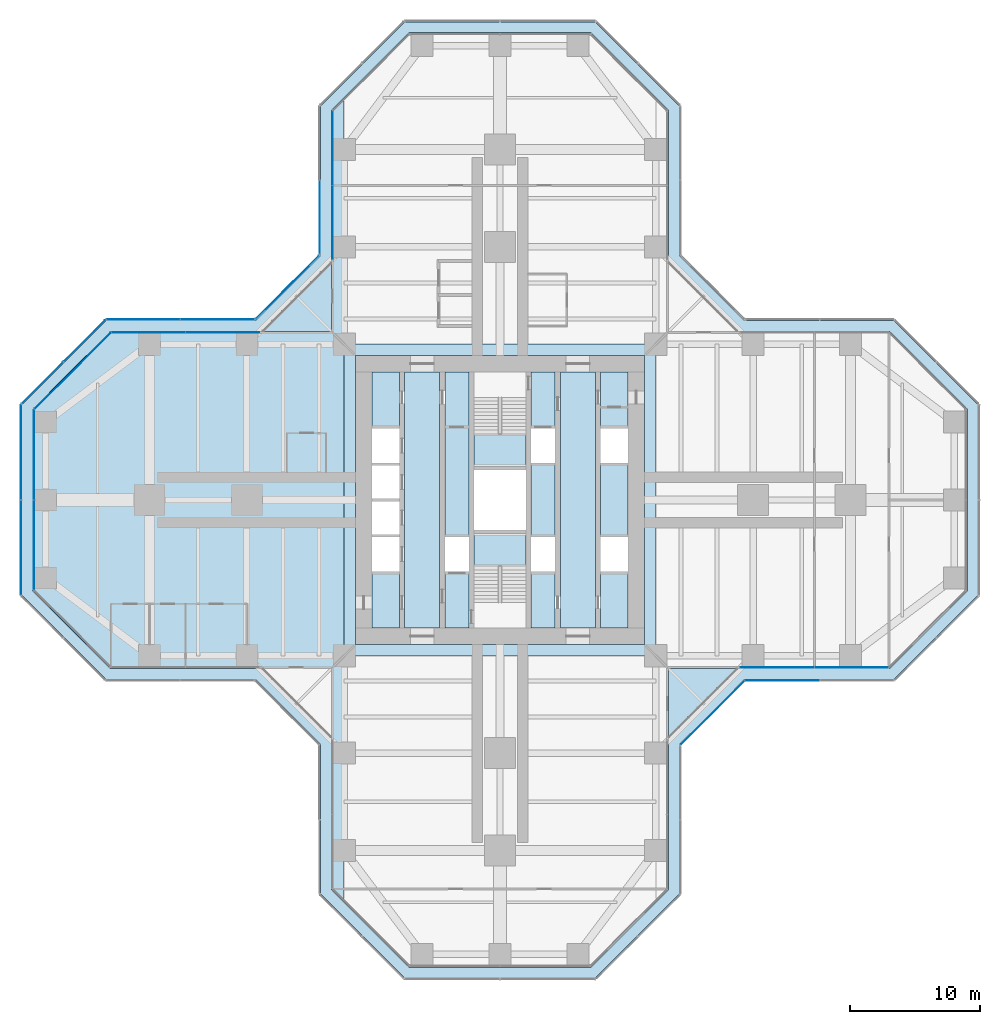
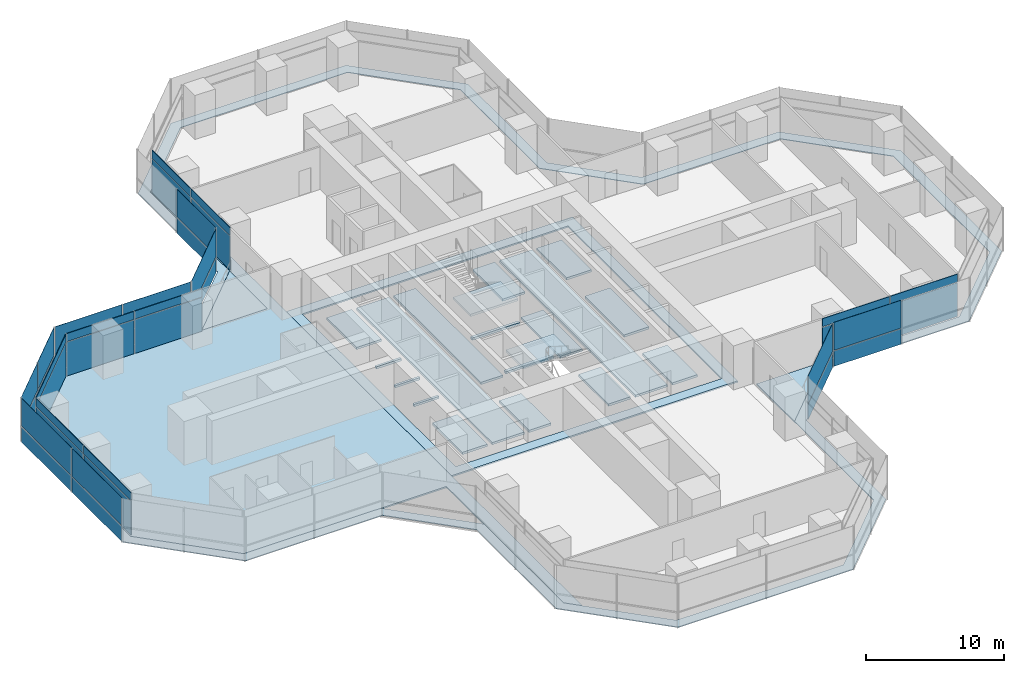
# One storey, part 15 of 22: 39 plates, 7 slabs, 14 elements without a shape of their own.
"""IFC4 building model written with IfcOpenShell, lengths in metres."""

from ifc_helpers import new_model, si_unit, direction, frame, origin, origin_2d, place, context, subcontext, project, spatial, polyline, rectangle, outline, extrude, material, layer, layer_set, type_object, element, aggregate, save


model = new_model("IFC4")

# Units and contexts
model_context = context("Model", 3, precision=1e-05, world=origin(), true_north=direction((0.0, 1.0)))
body_context = subcontext(model_context, "Body", "Model", "MODEL_VIEW")
ifc_project = project(units=[si_unit("LENGTHUNIT", "METRE"), si_unit("AREAUNIT", "SQUARE_METRE"), si_unit("VOLUMEUNIT", "CUBIC_METRE"), si_unit("PLANEANGLEUNIT", "RADIAN"), si_unit("MASSUNIT", "GRAM", prefix="KILO")], contexts=[model_context])

# Site, building, storey
site_placement = place(None, origin())
site = spatial("IfcSite", under=ifc_project, at=site_placement, CompositionType="ELEMENT")
building_placement = place(site_placement, origin())
building = spatial("IfcBuilding", under=site, at=building_placement, Name="Mizan Broadcast Tower", CompositionType="ELEMENT")
storey_placement = place(building_placement, frame((0.0, 0.0, 66.89990234375)))
storey = spatial("IfcBuildingStorey", under=building, at=storey_placement, Name="L13", CompositionType="ELEMENT", Elevation=66.89990234375)

# Plate
ifc_material_1 = material(Name="Aluminium grating", Category="aluminium")
ifc_layer_1 = layer(ifc_material_1, 0.050048828125)
ifc_layer_set_1 = layer_set([ifc_layer_1], Name="Aluminium grating")
plate_type_1 = type_object("IfcPlateType", Name="CAVITY GRATING", PredefinedType="USERDEFINED", material=ifc_layer_set_1)
plate_1_placement = place(storey_placement, frame((0.0, 0.0, -0.0498046875)))
element("IfcPlate", 1, at=plate_1_placement, inside=storey, type_object=plate_type_1, Name="Cavity grating L13", ObjectType="GRATING", PredefinedType="USERDEFINED", context=body_context, shape_type="SweptSolid", body=[
    extrude(outline(polyline([(13.820068359375, -18.839599609375), (18.839599609375, -13.820068359375), (30.339599609375, -13.820068359375), (36.820068359375, -7.339599609375), (36.820068359375, 7.339599609375), (30.339599609375, 13.820068359375), (18.839599609375, 13.820068359375), (13.820068359375, 18.839599609375), (13.820068359375, 30.339599609375), (7.339599609375, 36.820068359375), (-7.339599609375, 36.820068359375), (-13.820068359375, 30.339599609375), (-13.820068359375, 18.839599609375), (-18.839599609375, 13.820068359375), (-30.339599609375, 13.820068359375), (-36.820068359375, 7.339599609375), (-36.820068359375, -7.339599609375), (-30.339599609375, -13.820068359375), (-18.839599609375, -13.820068359375), (-13.820068359375, -18.839599609375), (-13.820068359375, -30.339599609375), (-7.339599609375, -36.820068359375), (7.339599609375, -36.820068359375), (13.820068359375, -30.339599609375), (13.820068359375, -18.839599609375)]), holes=[polyline([(36.0, 7.0), (36.0, -7.0), (30.0, -13.0), (18.5, -13.0), (13.0, -18.5), (13.0, -30.0), (7.0, -36.0), (-7.0, -36.0), (-13.0, -30.0), (-13.0, -18.5), (-18.5, -13.0), (-30.0, -13.0), (-36.0, -7.0), (-36.0, 7.0), (-30.0, 13.0), (-18.5, 13.0), (-13.0, 18.5), (-13.0, 30.0), (-7.0, 36.0), (7.0, 36.0), (13.0, 30.0), (13.0, 18.5), (18.5, 13.0), (30.0, 13.0), (36.0, 7.0)])]), origin(), (0.0, 0.0, 1.0), 0.0498046875),
])

# Slabs
ifc_material_2 = material(Name="Concrete C32/40", Category="concrete")
ifc_layer_2 = layer(ifc_material_2, 0.1298828125)
ifc_layer_set_2 = layer_set([ifc_layer_2], Name="Concrete C32/40")
slab_type_1 = type_object("IfcSlabType", Name="COMPOSITE DECK SLAB 130", PredefinedType="FLOOR", material=ifc_layer_set_2)
slab_1_placement = place(storey_placement, frame((0.0, 0.0, -0.1298828125)))
element("IfcSlab", 2, at=slab_1_placement, inside=storey, type_object=slab_type_1, Name="Floor slab L13 centre", PredefinedType="FLOOR", context=body_context, shape_type="SweptSolid", body=[
    extrude(outline(polyline([(-12.0, -12.0), (12.0, -12.0), (12.0, 12.0), (-12.0, 12.0), (-12.0, -12.0)]), holes=[polyline([(-11.14990234375, 11.14990234375), (11.14990234375, 11.14990234375), (11.14990234375, -11.14990234375), (-11.14990234375, -11.14990234375), (-11.14990234375, 11.14990234375)])]), origin(), (0.0, 0.0, 1.0), 0.1298828125),
])
slab_2_placement = place(storey_placement, frame((0.0, 0.0, -0.1298828125)))
element("IfcSlab", 3, at=slab_2_placement, inside=storey, type_object=slab_type_1, Name="Floor slab L13 west arm", PredefinedType="FLOOR", context=body_context, shape_type="SweptSolid", body=[
    extrude(outline(polyline([(-13.0, -30.0), (-12.0, -31.0), (-12.0, 31.0), (-13.0, 30.0), (-13.0, 13.0), (-30.0, 13.0), (-36.0, 7.0), (-36.0, -7.0), (-30.0, -13.0), (-13.0, -13.0), (-13.0, -30.0)])), origin(), (0.0, 0.0, 1.0), 0.1298828125),
])
ifc_material_3 = material(Name="Concrete C40/50", Category="concrete")
ifc_layer_3 = layer(ifc_material_3, 0.199951171875)
ifc_layer_set_3 = layer_set([ifc_layer_3], Name="Concrete C40/50")
slab_type_2 = type_object("IfcSlabType", Name="CORE FLOOR 200", PredefinedType="FLOOR", material=ifc_layer_set_3)
slab_3_placement = place(storey_placement, frame((0.0, 0.0, -0.199951171875)))
element("IfcSlab", 4, at=slab_3_placement, inside=storey, type_object=slab_type_2, Name="Core floor L13", PredefinedType="FLOOR", context=body_context, shape_type="SweptSolid", body=[
    extrude(outline(polyline([(-9.85009765625, -9.85009765625), (-7.75, -9.85009765625), (-7.75, -5.5), (-9.85009765625, -5.5), (-9.85009765625, -9.85009765625)])), origin(), (0.0, 0.0, 1.0), 0.199951171875),
    extrude(outline(polyline([(-9.85009765625, -2.85009765625), (-7.75, -2.85009765625), (-7.75, -2.64990234375), (-9.85009765625, -2.64990234375), (-9.85009765625, -2.85009765625)])), origin(), (0.0, 0.0, 1.0), 0.199951171875),
    extrude(outline(polyline([(-9.85009765625, -0.10009765625), (-7.75, -0.10009765625), (-7.75, 0.10009765625), (-9.85009765625, 0.10009765625), (-9.85009765625, -0.10009765625)])), origin(), (0.0, 0.0, 1.0), 0.199951171875),
    extrude(outline(polyline([(-9.85009765625, 2.64990234375), (-7.75, 2.64990234375), (-7.75, 2.85009765625), (-9.85009765625, 2.85009765625), (-9.85009765625, 2.64990234375)])), origin(), (0.0, 0.0, 1.0), 0.199951171875),
    extrude(outline(polyline([(-9.85009765625, 5.5), (-7.75, 5.5), (-7.75, 9.85009765625), (-9.85009765625, 9.85009765625), (-9.85009765625, 5.5)])), origin(), (0.0, 0.0, 1.0), 0.199951171875),
    extrude(outline(polyline([(-4.64990234375, 9.85009765625), (-7.35009765625, 9.85009765625), (-7.35009765625, -9.85009765625), (-4.64990234375, -9.85009765625), (-4.64990234375, 9.85009765625)])), origin(), (0.0, 0.0, 1.0), 0.199951171875),
    extrude(outline(polyline([(-4.25, -5.5), (-4.25, -9.85009765625), (-2.39990234375, -9.85009765625), (-2.39990234375, -5.5), (-4.25, -5.5)])), origin(), (0.0, 0.0, 1.0), 0.199951171875),
    extrude(outline(polyline([(-4.25, -2.85009765625), (-2.39990234375, -2.85009765625), (-2.39990234375, 9.85009765625), (-4.25, 9.85009765625), (-4.25, -2.85009765625)])), origin(), (0.0, 0.0, 1.0), 0.199951171875),
    extrude(outline(polyline([(2.0, -2.324951171875), (-2.0, -2.324951171875), (-2.0, -2.574951171875), (2.0, -2.574951171875), (2.0, -2.324951171875)])), origin(), (0.0, 0.0, 1.0), 0.199951171875),
    extrude(outline(polyline([(2.0, 2.574951171875), (-2.0, 2.574951171875), (-2.0, 2.324951171875), (2.0, 2.324951171875), (2.0, 2.574951171875)])), origin(), (0.0, 0.0, 1.0), 0.199951171875),
    extrude(outline(polyline([(4.25, -9.85009765625), (4.25, -5.5), (2.39990234375, -5.5), (2.39990234375, -9.85009765625), (4.25, -9.85009765625)])), origin(), (0.0, 0.0, 1.0), 0.199951171875),
    extrude(outline(polyline([(4.25, -2.85009765625), (4.25, 2.85009765625), (2.39990234375, 2.85009765625), (2.39990234375, -2.85009765625), (4.25, -2.85009765625)])), origin(), (0.0, 0.0, 1.0), 0.199951171875),
    extrude(outline(polyline([(4.25, 5.5), (4.25, 9.85009765625), (2.39990234375, 9.85009765625), (2.39990234375, 5.5), (4.25, 5.5)])), origin(), (0.0, 0.0, 1.0), 0.199951171875),
    extrude(outline(polyline([(4.64990234375, 9.85009765625), (4.64990234375, -9.85009765625), (7.35009765625, -9.85009765625), (7.35009765625, 9.85009765625), (4.64990234375, 9.85009765625)])), origin(), (0.0, 0.0, 1.0), 0.199951171875),
    extrude(outline(polyline([(9.85009765625, -9.85009765625), (9.85009765625, -5.5), (7.75, -5.5), (7.75, -9.85009765625), (9.85009765625, -9.85009765625)])), origin(), (0.0, 0.0, 1.0), 0.199951171875),
    extrude(outline(polyline([(7.75, 2.85009765625), (7.75, -2.85009765625), (9.85009765625, -2.85009765625), (9.85009765625, 2.85009765625), (7.75, 2.85009765625)])), origin(), (0.0, 0.0, 1.0), 0.199951171875),
    extrude(outline(polyline([(9.85009765625, 5.5), (9.85009765625, 9.85009765625), (7.75, 9.85009765625), (7.75, 5.5), (9.85009765625, 5.5)])), origin(), (0.0, 0.0, 1.0), 0.199951171875),
])

# Curtain wall, plates
ifc_material_4 = material(Name="Aluminium framed glazing", Category="aluminium")
curtain_wall_type_1 = type_object("IfcCurtainWallType", Name="INNER SKIN LOW ZONE", PredefinedType="USERDEFINED", material=ifc_material_4)
curtain_wall_1_placement = place(storey_placement, origin())
curtain_wall_1 = element("IfcCurtainWall", 5, at=curtain_wall_1_placement, inside=storey, type_object=curtain_wall_type_1, Name="Inner skin low zone L13 E side", ObjectType="INNER SKIN LOW ZONE", PredefinedType="USERDEFINED")
ifc_material_5 = material(Name="Double glazing, clear low-e", Category="glass")
ifc_layer_4 = layer(ifc_material_5, 0.028076171875)
ifc_layer_set_4 = layer_set([ifc_layer_4], Name="Double glazing, clear low-e")
plate_type_2 = type_object("IfcPlateType", Name="INNER SKIN GLAZING UNIT", PredefinedType="CURTAIN_PANEL", material=ifc_layer_set_4)
plate_2_placement = place(storey_placement, frame((21.379638671875, -12.89990234375, 0.0), z_axis=(0.0, 0.0, 1.0), x_axis=(1.0, 0.0, 0.0)))
plate_2 = element("IfcPlate", 6, at=plate_2_placement, type_object=plate_type_2, Name="Inner skin low zone L13 E side panel 1.1", PredefinedType="CURTAIN_PANEL", context=body_context, shape_type="SweptSolid", body=[
    extrude(rectangle(XDim=5.639404296875, YDim=0.028076171875, at=origin_2d()), origin(), (0.0, 0.0, 1.0), 3.0),
])
plate_3_placement = place(storey_placement, frame((27.078857421875, -12.89990234375, 0.0), z_axis=(0.0, 0.0, 1.0), x_axis=(1.0, 0.0, 0.0)))
plate_3 = element("IfcPlate", 7, at=plate_3_placement, type_object=plate_type_2, Name="Inner skin low zone L13 E side panel 2.1", PredefinedType="CURTAIN_PANEL", context=body_context, shape_type="SweptSolid", body=[
    extrude(rectangle(XDim=5.639404296875, YDim=0.028076171875, at=origin_2d()), origin(), (0.0, 0.0, 1.0), 3.0),
])

curtain_wall_2_placement = place(storey_placement, origin())
curtain_wall_2 = element("IfcCurtainWall", 8, at=curtain_wall_2_placement, inside=storey, type_object=curtain_wall_type_1, Name="Inner skin low zone L13 N side", ObjectType="INNER SKIN LOW ZONE", PredefinedType="USERDEFINED")
plate_4_placement = place(storey_placement, frame((-12.89990234375, 27.078857421875, 0.0), z_axis=(0.0, 0.0, 1.0), x_axis=(0.0, -1.0, 0.0)))
plate_4 = element("IfcPlate", 9, at=plate_4_placement, type_object=plate_type_2, Name="Inner skin low zone L13 N side panel 1.1", PredefinedType="CURTAIN_PANEL", context=body_context, shape_type="SweptSolid", body=[
    extrude(rectangle(XDim=5.639404296875, YDim=0.028076171875, at=origin_2d()), origin(), (0.0, 0.0, 1.0), 3.0),
])
plate_5_placement = place(storey_placement, frame((-12.89990234375, 21.379638671875, 0.0), z_axis=(0.0, 0.0, 1.0), x_axis=(0.0, -1.0, 0.0)))
plate_5 = element("IfcPlate", 10, at=plate_5_placement, type_object=plate_type_2, Name="Inner skin low zone L13 N side panel 2.1", PredefinedType="CURTAIN_PANEL", context=body_context, shape_type="SweptSolid", body=[
    extrude(rectangle(XDim=5.639404296875, YDim=0.028076171875, at=origin_2d()), origin(), (0.0, 0.0, 1.0), 3.0),
])

curtain_wall_3_placement = place(storey_placement, origin())
curtain_wall_3 = element("IfcCurtainWall", 11, at=curtain_wall_3_placement, inside=storey, type_object=curtain_wall_type_1, Name="Inner skin low zone L13 W side", ObjectType="INNER SKIN LOW ZONE", PredefinedType="USERDEFINED")
plate_6_placement = place(storey_placement, frame((-21.379638671875, 12.89990234375, 0.0), z_axis=(0.0, 0.0, 1.0), x_axis=(-1.0, 0.0, 0.0)))
plate_6 = element("IfcPlate", 12, at=plate_6_placement, type_object=plate_type_2, Name="Inner skin low zone L13 W side panel 1.1", PredefinedType="CURTAIN_PANEL", context=body_context, shape_type="SweptSolid", body=[
    extrude(rectangle(XDim=5.639404296875, YDim=0.028076171875, at=origin_2d()), origin(), (0.0, 0.0, 1.0), 3.0),
])
plate_7_placement = place(storey_placement, frame((-27.078857421875, 12.89990234375, 0.0), z_axis=(0.0, 0.0, 1.0), x_axis=(-1.0, 0.0, 0.0)))
plate_7 = element("IfcPlate", 13, at=plate_7_placement, type_object=plate_type_2, Name="Inner skin low zone L13 W side panel 2.1", PredefinedType="CURTAIN_PANEL", context=body_context, shape_type="SweptSolid", body=[
    extrude(rectangle(XDim=5.639404296875, YDim=0.028076171875, at=origin_2d()), origin(), (0.0, 0.0, 1.0), 3.0),
])

# Curtain wall, plate
curtain_wall_4_placement = place(storey_placement, origin())
curtain_wall_4 = element("IfcCurtainWall", 14, at=curtain_wall_4_placement, inside=storey, type_object=curtain_wall_type_1, Name="Inner skin low zone L13 W chamfer", ObjectType="INNER SKIN LOW ZONE", PredefinedType="USERDEFINED")
plate_8_placement = place(storey_placement, frame((-32.92919921875, 9.92919921875, 0.0), z_axis=(0.0, 0.0, 1.0), x_axis=(-0.707106781187, -0.707106781187, 0.0)))
plate_8 = element("IfcPlate", 15, at=plate_8_placement, type_object=plate_type_2, Name="Inner skin low zone L13 W chamfer panel 1.1", PredefinedType="CURTAIN_PANEL", context=body_context, shape_type="SweptSolid", body=[
    extrude(rectangle(XDim=8.282470703125, YDim=0.028076171875, at=origin_2d()), origin(), (0.0, 0.0, 1.0), 3.0),
])

# Curtain wall, plates
curtain_wall_5_placement = place(storey_placement, origin())
curtain_wall_5 = element("IfcCurtainWall", 16, at=curtain_wall_5_placement, inside=storey, type_object=curtain_wall_type_1, Name="Inner skin low zone L13 W end", ObjectType="INNER SKIN LOW ZONE", PredefinedType="USERDEFINED")
plate_9_placement = place(storey_placement, frame((-35.89990234375, 3.46435546875, 0.0), z_axis=(0.0, 0.0, 1.0), x_axis=(0.0, -1.0, 0.0)))
plate_9 = element("IfcPlate", 17, at=plate_9_placement, type_object=plate_type_2, Name="Inner skin low zone L13 W end panel 1.1", PredefinedType="CURTAIN_PANEL", context=body_context, shape_type="SweptSolid", body=[
    extrude(rectangle(XDim=6.86865234375, YDim=0.028076171875, at=origin_2d()), origin(), (0.0, 0.0, 1.0), 3.0),
])
plate_10_placement = place(storey_placement, frame((-35.89990234375, -3.46435546875, 0.0), z_axis=(0.0, 0.0, 1.0), x_axis=(0.0, -1.0, 0.0)))
plate_10 = element("IfcPlate", 18, at=plate_10_placement, type_object=plate_type_2, Name="Inner skin low zone L13 W end panel 2.1", PredefinedType="CURTAIN_PANEL", context=body_context, shape_type="SweptSolid", body=[
    extrude(rectangle(XDim=6.86865234375, YDim=0.028076171875, at=origin_2d()), origin(), (0.0, 0.0, 1.0), 3.0),
])

# Plate
ifc_material_6 = material(Name="Insulated aluminium spandrel panel, pale anodised", Category="aluminium")
ifc_layer_5 = layer(ifc_material_6, 0.050048828125)
ifc_layer_set_5 = layer_set([ifc_layer_5], Name="Insulated aluminium spandrel panel, pale anodised")
plate_type_3 = type_object("IfcPlateType", Name="INNER SKIN SPANDREL PANEL", PredefinedType="CURTAIN_PANEL", material=ifc_layer_set_5)
plate_11_placement = place(storey_placement, frame((21.379638671875, -12.89990234375, 3.06005859375), z_axis=(0.0, 0.0, 1.0), x_axis=(1.0, 0.0, 0.0)))
plate_11 = element("IfcPlate", 19, at=plate_11_placement, type_object=plate_type_3, Name="Inner skin low zone L13 E side panel 1.2", PredefinedType="CURTAIN_PANEL", context=body_context, shape_type="SweptSolid", body=[
    extrude(rectangle(XDim=5.639404296875, YDim=0.050048828125, at=origin_2d()), origin(), (0.0, 0.0, 1.0), 0.7099609375),
])

plate_12_placement = place(storey_placement, frame((27.078857421875, -12.89990234375, 3.06005859375), z_axis=(0.0, 0.0, 1.0), x_axis=(1.0, 0.0, 0.0)))
plate_12 = element("IfcPlate", 20, at=plate_12_placement, type_object=plate_type_3, Name="Inner skin low zone L13 E side panel 2.2", PredefinedType="CURTAIN_PANEL", context=body_context, shape_type="SweptSolid", body=[
    extrude(rectangle(XDim=5.639404296875, YDim=0.050048828125, at=origin_2d()), origin(), (0.0, 0.0, 1.0), 0.7099609375),
])

aggregate(curtain_wall_1, [plate_2, plate_11, plate_3, plate_12])

plate_13_placement = place(storey_placement, frame((-12.89990234375, 27.078857421875, 3.06005859375), z_axis=(0.0, 0.0, 1.0), x_axis=(0.0, -1.0, 0.0)))
plate_13 = element("IfcPlate", 21, at=plate_13_placement, type_object=plate_type_3, Name="Inner skin low zone L13 N side panel 1.2", PredefinedType="CURTAIN_PANEL", context=body_context, shape_type="SweptSolid", body=[
    extrude(rectangle(XDim=5.639404296875, YDim=0.050048828125, at=origin_2d()), origin(), (0.0, 0.0, 1.0), 0.7099609375),
])

plate_14_placement = place(storey_placement, frame((-12.89990234375, 21.379638671875, 3.06005859375), z_axis=(0.0, 0.0, 1.0), x_axis=(0.0, -1.0, 0.0)))
plate_14 = element("IfcPlate", 22, at=plate_14_placement, type_object=plate_type_3, Name="Inner skin low zone L13 N side panel 2.2", PredefinedType="CURTAIN_PANEL", context=body_context, shape_type="SweptSolid", body=[
    extrude(rectangle(XDim=5.639404296875, YDim=0.050048828125, at=origin_2d()), origin(), (0.0, 0.0, 1.0), 0.7099609375),
])

aggregate(curtain_wall_2, [plate_4, plate_13, plate_5, plate_14])

plate_15_placement = place(storey_placement, frame((-21.379638671875, 12.89990234375, 3.06005859375), z_axis=(0.0, 0.0, 1.0), x_axis=(-1.0, 0.0, 0.0)))
plate_15 = element("IfcPlate", 23, at=plate_15_placement, type_object=plate_type_3, Name="Inner skin low zone L13 W side panel 1.2", PredefinedType="CURTAIN_PANEL", context=body_context, shape_type="SweptSolid", body=[
    extrude(rectangle(XDim=5.639404296875, YDim=0.050048828125, at=origin_2d()), origin(), (0.0, 0.0, 1.0), 0.7099609375),
])

plate_16_placement = place(storey_placement, frame((-27.078857421875, 12.89990234375, 3.06005859375), z_axis=(0.0, 0.0, 1.0), x_axis=(-1.0, 0.0, 0.0)))
plate_16 = element("IfcPlate", 24, at=plate_16_placement, type_object=plate_type_3, Name="Inner skin low zone L13 W side panel 2.2", PredefinedType="CURTAIN_PANEL", context=body_context, shape_type="SweptSolid", body=[
    extrude(rectangle(XDim=5.639404296875, YDim=0.050048828125, at=origin_2d()), origin(), (0.0, 0.0, 1.0), 0.7099609375),
])

aggregate(curtain_wall_3, [plate_6, plate_15, plate_7, plate_16])

plate_17_placement = place(storey_placement, frame((-32.92919921875, 9.92919921875, 3.06005859375), z_axis=(0.0, 0.0, 1.0), x_axis=(-0.707106781187, -0.707106781187, 0.0)))
plate_17 = element("IfcPlate", 25, at=plate_17_placement, type_object=plate_type_3, Name="Inner skin low zone L13 W chamfer panel 1.2", PredefinedType="CURTAIN_PANEL", context=body_context, shape_type="SweptSolid", body=[
    extrude(rectangle(XDim=8.282470703125, YDim=0.050048828125, at=origin_2d()), origin(), (0.0, 0.0, 1.0), 0.7099609375),
])

aggregate(curtain_wall_4, [plate_8, plate_17])

plate_18_placement = place(storey_placement, frame((-35.89990234375, 3.46435546875, 3.06005859375), z_axis=(0.0, 0.0, 1.0), x_axis=(0.0, -1.0, 0.0)))
plate_18 = element("IfcPlate", 26, at=plate_18_placement, type_object=plate_type_3, Name="Inner skin low zone L13 W end panel 1.2", PredefinedType="CURTAIN_PANEL", context=body_context, shape_type="SweptSolid", body=[
    extrude(rectangle(XDim=6.86865234375, YDim=0.050048828125, at=origin_2d()), origin(), (0.0, 0.0, 1.0), 0.7099609375),
])

plate_19_placement = place(storey_placement, frame((-35.89990234375, -3.46435546875, 3.06005859375), z_axis=(0.0, 0.0, 1.0), x_axis=(0.0, -1.0, 0.0)))
plate_19 = element("IfcPlate", 27, at=plate_19_placement, type_object=plate_type_3, Name="Inner skin low zone L13 W end panel 2.2", PredefinedType="CURTAIN_PANEL", context=body_context, shape_type="SweptSolid", body=[
    extrude(rectangle(XDim=6.86865234375, YDim=0.050048828125, at=origin_2d()), origin(), (0.0, 0.0, 1.0), 0.7099609375),
])

aggregate(curtain_wall_5, [plate_9, plate_18, plate_10, plate_19])

# Curtain wall, plates
ifc_material_7 = material(Name="Aluminium framed glazing", Category="aluminium")
curtain_wall_type_2 = type_object("IfcCurtainWallType", Name="OUTER SKIN", PredefinedType="USERDEFINED", material=ifc_material_7)
curtain_wall_6_placement = place(storey_placement, origin())
curtain_wall_6 = element("IfcCurtainWall", 28, at=curtain_wall_6_placement, inside=storey, type_object=curtain_wall_type_2, Name="Outer skin L13 W chamfer", ObjectType="OUTER SKIN", PredefinedType="USERDEFINED")
ifc_material_8 = material(Name="Laminated clear glass", Category="glass")
ifc_layer_6 = layer(ifc_material_8, 0.02001953125)
ifc_layer_set_6 = layer_set([ifc_layer_6], Name="Laminated clear glass")
plate_type_4 = type_object("IfcPlateType", Name="OUTER SKIN CLEAR GLASS", PredefinedType="CURTAIN_PANEL", material=ifc_layer_set_6)
plate_20_placement = place(storey_placement, frame((-16.386474609375, 16.386474609375, 0.0), z_axis=(0.0, 0.0, 1.0), x_axis=(-0.707106781187, -0.707106781187, 0.0)))
plate_20 = element("IfcPlate", 29, at=plate_20_placement, type_object=plate_type_4, Name="Outer skin L13 W chamfer panel 1.1", PredefinedType="CURTAIN_PANEL", context=body_context, shape_type="SweptSolid", body=[
    extrude(rectangle(XDim=6.87255859375, YDim=0.02001953125, at=origin_2d()), origin(), (0.0, 0.0, 1.0), 1.3701171875),
])
plate_21_placement = place(storey_placement, frame((-16.386474609375, 16.386474609375, 1.43017578125), z_axis=(0.0, 0.0, 1.0), x_axis=(-0.707106781187, -0.707106781187, 0.0)))
plate_21 = element("IfcPlate", 30, at=plate_21_placement, type_object=plate_type_4, Name="Outer skin L13 W chamfer panel 1.2", PredefinedType="CURTAIN_PANEL", context=body_context, shape_type="SweptSolid", body=[
    extrude(rectangle(XDim=6.87255859375, YDim=0.02001953125, at=origin_2d()), origin(), (0.0, 0.0, 1.0), 2.469970703125),
])
aggregate(curtain_wall_6, [plate_20, plate_21])

curtain_wall_7_placement = place(storey_placement, origin())
curtain_wall_7 = element("IfcCurtainWall", 31, at=curtain_wall_7_placement, inside=storey, type_object=curtain_wall_type_2, Name="Outer skin L13 W side", ObjectType="OUTER SKIN", PredefinedType="USERDEFINED")
plate_22_placement = place(storey_placement, frame((-21.767822265625, 13.89990234375, 0.0), z_axis=(0.0, 0.0, 1.0), x_axis=(-1.0, 0.0, 0.0)))
plate_22 = element("IfcPlate", 32, at=plate_22_placement, type_object=plate_type_4, Name="Outer skin L13 W side panel 1.1", PredefinedType="CURTAIN_PANEL", context=body_context, shape_type="SweptSolid", body=[
    extrude(rectangle(XDim=5.6298828125, YDim=0.02001953125, at=origin_2d()), origin(), (0.0, 0.0, 1.0), 1.3701171875),
])
plate_23_placement = place(storey_placement, frame((-21.767822265625, 13.89990234375, 1.43017578125), z_axis=(0.0, 0.0, 1.0), x_axis=(-1.0, 0.0, 0.0)))
plate_23 = element("IfcPlate", 33, at=plate_23_placement, type_object=plate_type_4, Name="Outer skin L13 W side panel 1.2", PredefinedType="CURTAIN_PANEL", context=body_context, shape_type="SweptSolid", body=[
    extrude(rectangle(XDim=5.6298828125, YDim=0.02001953125, at=origin_2d()), origin(), (0.0, 0.0, 1.0), 2.469970703125),
])
plate_24_placement = place(storey_placement, frame((-27.477783203125, 13.89990234375, 0.0), z_axis=(0.0, 0.0, 1.0), x_axis=(-1.0, 0.0, 0.0)))
plate_24 = element("IfcPlate", 34, at=plate_24_placement, type_object=plate_type_4, Name="Outer skin L13 W side panel 2.1", PredefinedType="CURTAIN_PANEL", context=body_context, shape_type="SweptSolid", body=[
    extrude(rectangle(XDim=5.6298828125, YDim=0.02001953125, at=origin_2d()), origin(), (0.0, 0.0, 1.0), 1.3701171875),
])
plate_25_placement = place(storey_placement, frame((-27.477783203125, 13.89990234375, 1.43017578125), z_axis=(0.0, 0.0, 1.0), x_axis=(-1.0, 0.0, 0.0)))
plate_25 = element("IfcPlate", 35, at=plate_25_placement, type_object=plate_type_4, Name="Outer skin L13 W side panel 2.2", PredefinedType="CURTAIN_PANEL", context=body_context, shape_type="SweptSolid", body=[
    extrude(rectangle(XDim=5.6298828125, YDim=0.02001953125, at=origin_2d()), origin(), (0.0, 0.0, 1.0), 2.469970703125),
])
aggregate(curtain_wall_7, [plate_22, plate_23, plate_24, plate_25])

curtain_wall_8_placement = place(storey_placement, origin())
curtain_wall_8 = element("IfcCurtainWall", 36, at=curtain_wall_8_placement, inside=storey, type_object=curtain_wall_type_2, Name="Outer skin L13 W chamfer", ObjectType="OUTER SKIN", PredefinedType="USERDEFINED")
plate_26_placement = place(storey_placement, frame((-32.018798828125, 12.254150390625, 0.0), z_axis=(0.0, 0.0, 1.0), x_axis=(-0.707106781187, -0.707106781187, 0.0)))
plate_26 = element("IfcPlate", 37, at=plate_26_placement, type_object=plate_type_4, Name="Outer skin L13 W chamfer panel 1.1", PredefinedType="CURTAIN_PANEL", context=body_context, shape_type="SweptSolid", body=[
    extrude(rectangle(XDim=4.495361328125, YDim=0.02001953125, at=origin_2d()), origin(), (0.0, 0.0, 1.0), 1.3701171875),
])
plate_27_placement = place(storey_placement, frame((-32.018798828125, 12.254150390625, 1.43017578125), z_axis=(0.0, 0.0, 1.0), x_axis=(-0.707106781187, -0.707106781187, 0.0)))
plate_27 = element("IfcPlate", 38, at=plate_27_placement, type_object=plate_type_4, Name="Outer skin L13 W chamfer panel 1.2", PredefinedType="CURTAIN_PANEL", context=body_context, shape_type="SweptSolid", body=[
    extrude(rectangle(XDim=4.495361328125, YDim=0.02001953125, at=origin_2d()), origin(), (0.0, 0.0, 1.0), 2.469970703125),
])

curtain_wall_9_placement = place(storey_placement, origin())
curtain_wall_9 = element("IfcCurtainWall", 39, at=curtain_wall_9_placement, inside=storey, type_object=curtain_wall_type_2, Name="Outer skin L13 W end", ObjectType="OUTER SKIN", PredefinedType="USERDEFINED")
plate_28_placement = place(storey_placement, frame((-36.89990234375, 3.66650390625, 0.0), z_axis=(0.0, 0.0, 1.0), x_axis=(0.0, -1.0, 0.0)))
plate_28 = element("IfcPlate", 40, at=plate_28_placement, type_object=plate_type_4, Name="Outer skin L13 W end panel 1.1", PredefinedType="CURTAIN_PANEL", context=body_context, shape_type="SweptSolid", body=[
    extrude(rectangle(XDim=7.252685546875, YDim=0.02001953125, at=origin_2d()), origin(), (0.0, 0.0, 1.0), 1.3701171875),
])
plate_29_placement = place(storey_placement, frame((-36.89990234375, 3.66650390625, 1.43017578125), z_axis=(0.0, 0.0, 1.0), x_axis=(0.0, -1.0, 0.0)))
plate_29 = element("IfcPlate", 41, at=plate_29_placement, type_object=plate_type_4, Name="Outer skin L13 W end panel 1.2", PredefinedType="CURTAIN_PANEL", context=body_context, shape_type="SweptSolid", body=[
    extrude(rectangle(XDim=7.252685546875, YDim=0.02001953125, at=origin_2d()), origin(), (0.0, 0.0, 1.0), 2.469970703125),
])

curtain_wall_10_placement = place(storey_placement, origin())
curtain_wall_10 = element("IfcCurtainWall", 42, at=curtain_wall_10_placement, inside=storey, type_object=curtain_wall_type_2, Name="Outer skin L13 E chamfer", ObjectType="OUTER SKIN", PredefinedType="USERDEFINED")
plate_30_placement = place(storey_placement, frame((16.386474609375, -16.386474609375, 0.0), z_axis=(0.0, 0.0, 1.0), x_axis=(0.707106781187, 0.707106781187, 0.0)))
plate_30 = element("IfcPlate", 43, at=plate_30_placement, type_object=plate_type_4, Name="Outer skin L13 E chamfer panel 1.1", PredefinedType="CURTAIN_PANEL", context=body_context, shape_type="SweptSolid", body=[
    extrude(rectangle(XDim=6.87255859375, YDim=0.02001953125, at=origin_2d()), origin(), (0.0, 0.0, 1.0), 1.3701171875),
])
plate_31_placement = place(storey_placement, frame((16.386474609375, -16.386474609375, 1.43017578125), z_axis=(0.0, 0.0, 1.0), x_axis=(0.707106781187, 0.707106781187, 0.0)))
plate_31 = element("IfcPlate", 44, at=plate_31_placement, type_object=plate_type_4, Name="Outer skin L13 E chamfer panel 1.2", PredefinedType="CURTAIN_PANEL", context=body_context, shape_type="SweptSolid", body=[
    extrude(rectangle(XDim=6.87255859375, YDim=0.02001953125, at=origin_2d()), origin(), (0.0, 0.0, 1.0), 2.469970703125),
])
aggregate(curtain_wall_10, [plate_30, plate_31])

curtain_wall_11_placement = place(storey_placement, origin())
curtain_wall_11 = element("IfcCurtainWall", 45, at=curtain_wall_11_placement, inside=storey, type_object=curtain_wall_type_2, Name="Outer skin L13 E side", ObjectType="OUTER SKIN", PredefinedType="USERDEFINED")
plate_32_placement = place(storey_placement, frame((21.767822265625, -13.89990234375, 0.0), z_axis=(0.0, 0.0, 1.0), x_axis=(1.0, 0.0, 0.0)))
plate_32 = element("IfcPlate", 46, at=plate_32_placement, type_object=plate_type_4, Name="Outer skin L13 E side panel 1.1", PredefinedType="CURTAIN_PANEL", context=body_context, shape_type="SweptSolid", body=[
    extrude(rectangle(XDim=5.6298828125, YDim=0.02001953125, at=origin_2d()), origin(), (0.0, 0.0, 1.0), 1.3701171875),
])
plate_33_placement = place(storey_placement, frame((21.767822265625, -13.89990234375, 1.43017578125), z_axis=(0.0, 0.0, 1.0), x_axis=(1.0, 0.0, 0.0)))
plate_33 = element("IfcPlate", 47, at=plate_33_placement, type_object=plate_type_4, Name="Outer skin L13 E side panel 1.2", PredefinedType="CURTAIN_PANEL", context=body_context, shape_type="SweptSolid", body=[
    extrude(rectangle(XDim=5.6298828125, YDim=0.02001953125, at=origin_2d()), origin(), (0.0, 0.0, 1.0), 2.469970703125),
])
aggregate(curtain_wall_11, [plate_32, plate_33])

curtain_wall_12_placement = place(storey_placement, origin())
curtain_wall_12 = element("IfcCurtainWall", 48, at=curtain_wall_12_placement, inside=storey, type_object=curtain_wall_type_2, Name="Outer skin L13 N side", ObjectType="OUTER SKIN", PredefinedType="USERDEFINED")
ifc_material_9 = material(Name="Perforated aluminium, pale anodised", Category="aluminium")
ifc_layer_7 = layer(ifc_material_9, 0.011962890625)
ifc_layer_set_7 = layer_set([ifc_layer_7], Name="Perforated aluminium, pale anodised")
plate_type_5 = type_object("IfcPlateType", Name="OUTER SKIN PERFORATED SCREEN", PredefinedType="USERDEFINED", material=ifc_layer_set_7)
plate_34_placement = place(storey_placement, frame((-13.89990234375, 21.767822265625, 0.0), z_axis=(0.0, 0.0, 1.0), x_axis=(0.0, -1.0, 0.0)))
plate_34 = element("IfcPlate", 49, at=plate_34_placement, type_object=plate_type_5, Name="Outer skin L13 N side panel 2.1", ObjectType="SCREEN", PredefinedType="USERDEFINED", context=body_context, shape_type="SweptSolid", body=[
    extrude(rectangle(XDim=5.6298828125, YDim=0.011962890625, at=origin_2d()), origin(), (0.0, 0.0, 1.0), 1.3701171875),
])
plate_35_placement = place(storey_placement, frame((-13.89990234375, 21.767822265625, 1.43017578125), z_axis=(0.0, 0.0, 1.0), x_axis=(0.0, -1.0, 0.0)))
plate_35 = element("IfcPlate", 50, at=plate_35_placement, type_object=plate_type_5, Name="Outer skin L13 N side panel 2.2", ObjectType="SCREEN", PredefinedType="USERDEFINED", context=body_context, shape_type="SweptSolid", body=[
    extrude(rectangle(XDim=5.6298828125, YDim=0.011962890625, at=origin_2d()), origin(), (0.0, 0.0, 1.0), 2.469970703125),
])
aggregate(curtain_wall_12, [plate_34, plate_35])

# Plate
plate_36_placement = place(storey_placement, frame((-35.254150390625, 9.018798828125, 0.0), z_axis=(0.0, 0.0, 1.0), x_axis=(-0.707106781187, -0.707106781187, 0.0)))
plate_36 = element("IfcPlate", 51, at=plate_36_placement, type_object=plate_type_5, Name="Outer skin L13 W chamfer panel 2.1", ObjectType="SCREEN", PredefinedType="USERDEFINED", context=body_context, shape_type="SweptSolid", body=[
    extrude(rectangle(XDim=4.495361328125, YDim=0.011962890625, at=origin_2d()), origin(), (0.0, 0.0, 1.0), 1.3701171875),
])

plate_37_placement = place(storey_placement, frame((-35.254150390625, 9.018798828125, 1.43017578125), z_axis=(0.0, 0.0, 1.0), x_axis=(-0.707106781187, -0.707106781187, 0.0)))
plate_37 = element("IfcPlate", 52, at=plate_37_placement, type_object=plate_type_5, Name="Outer skin L13 W chamfer panel 2.2", ObjectType="SCREEN", PredefinedType="USERDEFINED", context=body_context, shape_type="SweptSolid", body=[
    extrude(rectangle(XDim=4.495361328125, YDim=0.011962890625, at=origin_2d()), origin(), (0.0, 0.0, 1.0), 2.469970703125),
])

aggregate(curtain_wall_8, [plate_26, plate_27, plate_36, plate_37])

plate_38_placement = place(storey_placement, frame((-36.89990234375, -3.66650390625, 0.0), z_axis=(0.0, 0.0, 1.0), x_axis=(0.0, -1.0, 0.0)))
plate_38 = element("IfcPlate", 53, at=plate_38_placement, type_object=plate_type_5, Name="Outer skin L13 W end panel 2.1", ObjectType="SCREEN", PredefinedType="USERDEFINED", context=body_context, shape_type="SweptSolid", body=[
    extrude(rectangle(XDim=7.252685546875, YDim=0.011962890625, at=origin_2d()), origin(), (0.0, 0.0, 1.0), 1.3701171875),
])

plate_39_placement = place(storey_placement, frame((-36.89990234375, -3.66650390625, 1.43017578125), z_axis=(0.0, 0.0, 1.0), x_axis=(0.0, -1.0, 0.0)))
plate_39 = element("IfcPlate", 54, at=plate_39_placement, type_object=plate_type_5, Name="Outer skin L13 W end panel 2.2", ObjectType="SCREEN", PredefinedType="USERDEFINED", context=body_context, shape_type="SweptSolid", body=[
    extrude(rectangle(XDim=7.252685546875, YDim=0.011962890625, at=origin_2d()), origin(), (0.0, 0.0, 1.0), 2.469970703125),
])

aggregate(curtain_wall_9, [plate_28, plate_29, plate_38, plate_39])

# Stair, slab
ifc_material_10 = material(Name="Concrete C40/50", Category="concrete")
stair_type = type_object("IfcStairType", Name="EXIT STAIR", PredefinedType="HALF_TURN_STAIR", material=ifc_material_10)
stair_1_placement = place(storey_placement, origin())
stair_1 = element("IfcStair", 55, at=stair_1_placement, inside=storey, type_object=stair_type, Name="Stair A L13", PredefinedType="HALF_TURN_STAIR")
ifc_material_11 = material(Name="Concrete C40/50", Category="concrete")
ifc_layer_8 = layer(ifc_material_11, 0.199951171875)
ifc_layer_set_8 = layer_set([ifc_layer_8], Name="Concrete C40/50")
slab_type_3 = type_object("IfcSlabType", Name="STAIR LANDING 200", PredefinedType="LANDING", material=ifc_layer_set_8)
slab_4_placement = place(storey_placement, frame((0.0, 0.0, 1.75)))
slab_4 = element("IfcSlab", 56, at=slab_4_placement, type_object=slab_type_3, Name="A landing 2", PredefinedType="LANDING", context=body_context, shape_type="SweptSolid", body=[
    extrude(outline(polyline([(-2.0, -5.10009765625), (-2.0, -2.574951171875), (2.0, -2.574951171875), (2.0, -5.10009765625), (-2.0, -5.10009765625)])), origin(), (0.0, 0.0, 1.0), 0.2001953125),
])
aggregate(stair_1, [slab_4])

stair_2_placement = place(storey_placement, origin())
stair_2 = element("IfcStair", 57, at=stair_2_placement, inside=storey, type_object=stair_type, Name="Stair B L13", PredefinedType="HALF_TURN_STAIR")
slab_5_placement = place(storey_placement, frame((0.0, 0.0, 1.75)))
slab_5 = element("IfcSlab", 58, at=slab_5_placement, type_object=slab_type_3, Name="B landing 2", PredefinedType="LANDING", context=body_context, shape_type="SweptSolid", body=[
    extrude(outline(polyline([(2.0, 5.10009765625), (2.0, 2.574951171875), (-2.0, 2.574951171875), (-2.0, 5.10009765625), (2.0, 5.10009765625)])), origin(), (0.0, 0.0, 1.0), 0.2001953125),
])
aggregate(stair_2, [slab_5])

# Slabs
ifc_material_12 = material(Name="Concrete C32/40", Category="concrete")
ifc_layer_9 = layer(ifc_material_12, 0.1298828125)
ifc_layer_set_9 = layer_set([ifc_layer_9], Name="Concrete C32/40")
slab_type_4 = type_object("IfcSlabType", Name="WINTER GARDEN SLAB 130", PredefinedType="FLOOR", material=ifc_layer_set_9)
slab_6_placement = place(storey_placement, frame((0.0, 0.0, -0.1298828125)))
element("IfcSlab", 59, at=slab_6_placement, inside=storey, type_object=slab_type_4, Name="Winter garden slab L13 N", PredefinedType="FLOOR", context=body_context, shape_type="SweptSolid", body=[
    extrude(outline(polyline([(-13.0, 13.0), (-13.0, 18.5), (-18.5, 13.0), (-13.0, 13.0)])), origin(), (0.0, 0.0, 1.0), 0.1298828125),
])
slab_7_placement = place(storey_placement, frame((0.0, 0.0, -0.1298828125)))
element("IfcSlab", 60, at=slab_7_placement, inside=storey, type_object=slab_type_4, Name="Winter garden slab L13 S", PredefinedType="FLOOR", context=body_context, shape_type="SweptSolid", body=[
    extrude(outline(polyline([(13.0, -13.0), (13.0, -18.5), (18.5, -13.0), (13.0, -13.0)])), origin(), (0.0, 0.0, 1.0), 0.1298828125),
])

save(model, "model.ifc")
